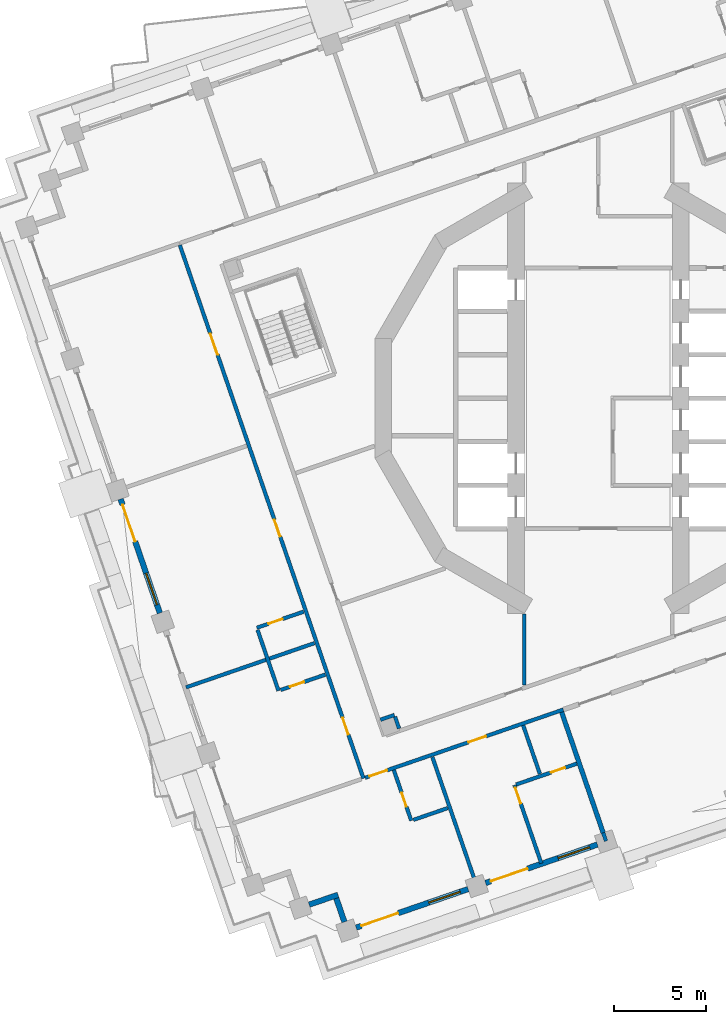
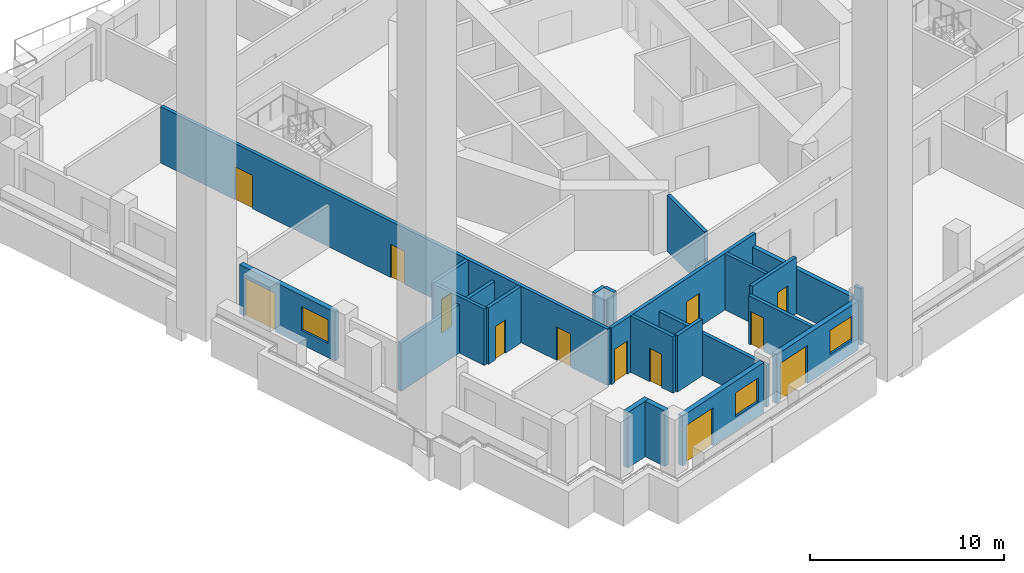
# One storey, part 3 of 18: 22 walls, 13 doors, 3 windows, 16 openings.
"""IFC4 building model written with IfcOpenShell, lengths in metres."""

from ifc_helpers import new_model, si_unit, direction, frame, frame_2d, origin, place, context, subcontext, project, spatial, rectangle, extrude, material, layer, layer_set, type_object, element, fill, save


model = new_model("IFC4")

# Units and contexts
model_context = context("Model", 3, precision=1e-05, world=origin(), true_north=direction((0.0, 1.0)))
body_context = subcontext(model_context, "Body", "Model", "MODEL_VIEW")
ifc_project = project(units=[si_unit("LENGTHUNIT", "METRE"), si_unit("AREAUNIT", "SQUARE_METRE"), si_unit("VOLUMEUNIT", "CUBIC_METRE"), si_unit("PLANEANGLEUNIT", "RADIAN"), si_unit("MASSUNIT", "GRAM", prefix="KILO")], contexts=[model_context])

# Site, building, storey
site_placement = place(None, origin())
site = spatial("IfcSite", under=ifc_project, at=site_placement, CompositionType="ELEMENT")
building_placement = place(site_placement, origin())
building = spatial("IfcBuilding", under=site, at=building_placement, Name="Cantera Rosa Tower", CompositionType="ELEMENT")
storey_placement = place(building_placement, frame((0.0, 0.0, 100.300048828125)))
storey = spatial("IfcBuildingStorey", under=building, at=storey_placement, Name="L19", CompositionType="ELEMENT", Elevation=100.300048828125)

# Wall, openings, doors
ifc_material_1 = material(Name="Gypsum board partition")
ifc_layer_1 = layer(ifc_material_1, 0.199951171875)
ifc_layer_set_1 = layer_set([ifc_layer_1], Name="CORRIDOR WALL 200 H3550")
wall_type_1 = type_object("IfcWallType", Name="CORRIDOR WALL 200 H3550", PredefinedType="PARTITIONING", material=ifc_layer_set_1)
wall_1_placement = place(storey_placement, frame((-22.6298828125, 8.28369140625, 0.0), z_axis=(0.0, 0.0, 1.0), x_axis=(0.325570542196, -0.945517753431, 0.0)))
wall_1 = element("IfcWall", 1, at=wall_1_placement, inside=storey, type_object=wall_type_1, Name="CORRIDOR WALL L19-002", PredefinedType="PARTITIONING", context=body_context, shape_type="SweptSolid", body=[
    extrude(rectangle(XDim=30.5, YDim=0.199951171875, at=frame_2d((15.25, 0.0))), origin(), (0.0, 0.0, 1.0), 3.550048828125),
])
opening_1_placement = place(wall_1_placement, frame((5.070068359375, 0.0, 0.0)))
opening_1 = element("IfcOpeningElement", 2, at=opening_1_placement, cuts=wall_1, Name="Opening L19-036", PredefinedType="OPENING", context=body_context, shape_type="SweptSolid", body=[
    extrude(rectangle(XDim=1.199951171875, YDim=2.10009765625, at=frame_2d((0.60009765625, 1.050048828125))), frame((0.0, 0.10986328125, 0.0), z_axis=(0.0, -1.0, 0.0), x_axis=(1.0, 0.0, 0.0)), (0.0, 0.0, 1.0), 0.219970703125),
])
opening_2_placement = place(wall_1_placement, frame((15.705078125, 0.0, 0.0)))
opening_2 = element("IfcOpeningElement", 3, at=opening_2_placement, cuts=wall_1, Name="Opening L19-037", PredefinedType="OPENING", context=body_context, shape_type="SweptSolid", body=[
    extrude(rectangle(XDim=0.949951171875, YDim=2.10009765625, at=frame_2d((0.47509765625, 1.050048828125))), frame((0.0, 0.10986328125, 0.0), z_axis=(0.0, -1.0, 0.0), x_axis=(1.0, 0.0, 0.0)), (0.0, 0.0, 1.0), 0.219970703125),
])
opening_3_placement = place(wall_1_placement, frame((27.034912109375, 0.0, 0.0)))
opening_3 = element("IfcOpeningElement", 4, at=opening_3_placement, cuts=wall_1, Name="Opening L19-039", PredefinedType="OPENING", context=body_context, shape_type="SweptSolid", body=[
    extrude(rectangle(XDim=0.949951171875, YDim=2.10009765625, at=frame_2d((0.47509765625, 1.050048828125))), frame((0.0, 0.10986328125, 0.0), z_axis=(0.0, -1.0, 0.0), x_axis=(1.0, 0.0, 0.0)), (0.0, 0.0, 1.0), 0.219970703125),
])
ifc_material_2 = material(Name="Timber door leaf", Category="wood")
door_type_1 = type_object("IfcDoorType", Name="ROOM DOOR 1200x2100", OperationType="NOTDEFINED", PredefinedType="DOOR", material=ifc_material_2)
door_1_placement = place(opening_1_placement, origin())
door_1 = element("IfcDoor", 5, at=door_1_placement, inside=storey, type_object=door_type_1, Name="DOOR L19-036", OperationType="NOTDEFINED", OverallHeight=2.10009765625, OverallWidth=1.199951171875, PredefinedType="DOOR", context=body_context, shape_type="SweptSolid", body=[
    extrude(rectangle(XDim=1.199951171875, YDim=2.10009765625, at=frame_2d((0.60009765625, 1.050048828125))), frame((0.0, 0.02490234375, 0.0), z_axis=(0.0, -1.0, 0.0), x_axis=(1.0, 0.0, 0.0)), (0.0, 0.0, 1.0), 0.050048828125),
])
fill(opening_1, door_1)
ifc_material_3 = material(Name="Timber door leaf", Category="wood")
door_type_2 = type_object("IfcDoorType", Name="ROOM DOOR 950x2100", OperationType="NOTDEFINED", PredefinedType="DOOR", material=ifc_material_3)
door_2_placement = place(opening_2_placement, origin())
door_2 = element("IfcDoor", 6, at=door_2_placement, inside=storey, type_object=door_type_2, Name="DOOR L19-037", OperationType="NOTDEFINED", OverallHeight=2.10009765625, OverallWidth=0.949951171875, PredefinedType="DOOR", context=body_context, shape_type="SweptSolid", body=[
    extrude(rectangle(XDim=0.949951171875, YDim=2.10009765625, at=frame_2d((0.47509765625, 1.050048828125))), frame((0.0, 0.02490234375, 0.0), z_axis=(0.0, -1.0, 0.0), x_axis=(1.0, 0.0, 0.0)), (0.0, 0.0, 1.0), 0.050048828125),
])
fill(opening_2, door_2)
door_3_placement = place(opening_3_placement, origin())
door_3 = element("IfcDoor", 7, at=door_3_placement, inside=storey, type_object=door_type_2, Name="DOOR L19-039", OperationType="NOTDEFINED", OverallHeight=2.10009765625, OverallWidth=0.949951171875, PredefinedType="DOOR", context=body_context, shape_type="SweptSolid", body=[
    extrude(rectangle(XDim=0.949951171875, YDim=2.10009765625, at=frame_2d((0.47509765625, 1.050048828125))), frame((0.0, 0.02490234375, 0.0), z_axis=(0.0, -1.0, 0.0), x_axis=(1.0, 0.0, 0.0)), (0.0, 0.0, 1.0), 0.050048828125),
])
fill(opening_3, door_3)

wall_2_placement = place(storey_placement, frame((-12.60546875, -20.52197265625, 0.0), z_axis=(0.0, 0.0, 1.0), x_axis=(0.945519963328, 0.325564124172, 0.0)))
wall_2 = element("IfcWall", 8, at=wall_2_placement, inside=storey, type_object=wall_type_1, Name="CORRIDOR WALL L19-020", PredefinedType="PARTITIONING", context=body_context, shape_type="SweptSolid", body=[
    extrude(rectangle(XDim=11.324951171875, YDim=0.199951171875, at=frame_2d((5.66259765625, 0.0))), origin(), (0.0, 0.0, 1.0), 3.550048828125),
])
opening_4_placement = place(wall_2_placement, frame((5.89990234375, 0.0, 0.0)))
opening_4 = element("IfcOpeningElement", 9, at=opening_4_placement, cuts=wall_2, Name="Opening L19-041", PredefinedType="OPENING", context=body_context, shape_type="SweptSolid", body=[
    extrude(rectangle(XDim=1.0, YDim=2.10009765625, at=frame_2d((0.5, 1.050048828125))), frame((0.0, 0.10986328125, 0.0), z_axis=(0.0, -1.0, 0.0), x_axis=(1.0, 0.0, 0.0)), (0.0, 0.0, 1.0), 0.219970703125),
])
opening_5_placement = place(wall_2_placement, frame((0.25, 0.0, 0.0)))
opening_5 = element("IfcOpeningElement", 10, at=opening_5_placement, cuts=wall_2, Name="Opening L19-046", PredefinedType="OPENING", context=body_context, shape_type="SweptSolid", body=[
    extrude(rectangle(XDim=1.0, YDim=2.10009765625, at=frame_2d((0.5, 1.050048828125))), frame((0.0, 0.10986328125, 0.0), z_axis=(0.0, -1.0, 0.0), x_axis=(1.0, 0.0, 0.0)), (0.0, 0.0, 1.0), 0.219970703125),
])
ifc_material_4 = material(Name="Timber door leaf", Category="wood")
door_type_3 = type_object("IfcDoorType", Name="ENTRANCE DOOR 1000x2100", OperationType="NOTDEFINED", PredefinedType="DOOR", material=ifc_material_4)
door_4_placement = place(opening_4_placement, origin())
door_4 = element("IfcDoor", 11, at=door_4_placement, inside=storey, type_object=door_type_3, Name="DOOR L19-041", OperationType="NOTDEFINED", OverallHeight=2.10009765625, OverallWidth=1.0, PredefinedType="DOOR", context=body_context, shape_type="SweptSolid", body=[
    extrude(rectangle(XDim=1.0, YDim=2.10009765625, at=frame_2d((0.5, 1.050048828125))), frame((0.0, 0.02490234375, 0.0), z_axis=(0.0, -1.0, 0.0), x_axis=(1.0, 0.0, 0.0)), (0.0, 0.0, 1.0), 0.050048828125),
])
fill(opening_4, door_4)
door_5_placement = place(opening_5_placement, origin())
door_5 = element("IfcDoor", 12, at=door_5_placement, inside=storey, type_object=door_type_3, Name="DOOR L19-046", OperationType="NOTDEFINED", OverallHeight=2.10009765625, OverallWidth=1.0, PredefinedType="DOOR", context=body_context, shape_type="SweptSolid", body=[
    extrude(rectangle(XDim=1.0, YDim=2.10009765625, at=frame_2d((0.5, 1.050048828125))), frame((0.0, 0.02490234375, 0.0), z_axis=(0.0, -1.0, 0.0), x_axis=(1.0, 0.0, 0.0)), (0.0, 0.0, 1.0), 0.050048828125),
])
fill(opening_5, door_5)

# Walls
wall_3_placement = place(storey_placement, frame((-4.0, -11.667236328125, 0.0), z_axis=(0.0, 0.0, 1.0), x_axis=(0.0, -1.0, 0.0)))
element("IfcWall", 13, at=wall_3_placement, inside=storey, type_object=wall_type_1, Name="CORRIDOR WALL L19-047", PredefinedType="PARTITIONING", context=body_context, shape_type="SweptSolid", body=[
    extrude(rectangle(XDim=3.847900390625, YDim=0.199951171875, at=frame_2d((1.923828125, 0.0))), origin(), (0.0, 0.0, 1.0), 3.550048828125),
])
ifc_material_5 = material(Name="Hollow clay masonry with cantera stone cladding", Category="masonry")
ifc_layer_2 = layer(ifc_material_5, 0.300048828125)
ifc_layer_set_2 = layer_set([ifc_layer_2], Name="EW-LOGGIA 300")
wall_type_2 = type_object("IfcWallType", Name="EW-LOGGIA 300", PredefinedType="SOLIDWALL", material=ifc_layer_set_2)
wall_4_placement = place(storey_placement, frame((-15.636962890625, -27.3828125, 0.0), z_axis=(0.0, 0.0, 1.0), x_axis=(0.945484566827, 0.325666906351, 0.0)))
element("IfcWall", 14, at=wall_4_placement, inside=storey, type_object=wall_type_2, Name="EN-L19-W22a", PredefinedType="SOLIDWALL", context=body_context, shape_type="SweptSolid", body=[
    extrude(rectangle(XDim=1.64990234375, YDim=0.300048828125, at=frame_2d((0.824951171875, 0.0))), origin(), (0.0, 0.0, 1.0), 3.5),
])
wall_5_placement = place(storey_placement, frame((-14.169921875, -27.0361328125, 0.0), z_axis=(0.0, 0.0, 1.0), x_axis=(0.325650742363, -0.945490134268, 0.0)))
element("IfcWall", 15, at=wall_5_placement, inside=storey, type_object=wall_type_2, Name="EN-L19-W22b", PredefinedType="SOLIDWALL", context=body_context, shape_type="SweptSolid", body=[
    extrude(rectangle(XDim=1.35009765625, YDim=0.300048828125, at=frame_2d((0.675048828125, 0.0))), origin(), (0.0, 0.0, 1.0), 3.5),
])

# Wall, openings, window, door
ifc_material_6 = material(Name="Hollow clay masonry with cantera stone cladding", Category="masonry")
ifc_layer_3 = layer(ifc_material_6, 0.300048828125)
ifc_layer_set_3 = layer_set([ifc_layer_3], Name="EW-LOGGIA 300 H3090")
wall_type_3 = type_object("IfcWallType", Name="EW-LOGGIA 300 H3090", PredefinedType="SOLIDWALL", material=ifc_layer_set_3)
wall_6_placement = place(storey_placement, frame((-25.833984375, -5.447509765625, 0.0), z_axis=(0.0, 0.0, 1.0), x_axis=(0.325580990241, -0.945514155787, 0.0)))
wall_6 = element("IfcWall", 16, at=wall_6_placement, inside=storey, type_object=wall_type_3, Name="EN-L19-W18", PredefinedType="SOLIDWALL", context=body_context, shape_type="SweptSolid", body=[
    extrude(rectangle(XDim=6.52001953125, YDim=0.300048828125, at=frame_2d((3.260009765625, 0.0))), origin(), (0.0, 0.0, 1.0), 3.08984375),
])
opening_6_placement = place(wall_6_placement, frame((0.330078125, 0.0, 0.0)))
opening_6 = element("IfcOpeningElement", 17, at=opening_6_placement, cuts=wall_6, Name="Opening L19-TD27", PredefinedType="OPENING", context=body_context, shape_type="SweptSolid", body=[
    extrude(rectangle(XDim=2.10009765625, YDim=2.39990234375, at=frame_2d((1.050048828125, 1.199951171875))), frame((0.0, 0.159912109375, 0.0), z_axis=(0.0, -1.0, 0.0), x_axis=(1.0, 0.0, 0.0)), (0.0, 0.0, 1.0), 0.320068359375),
])
opening_7_placement = place(wall_6_placement, frame((4.239990234375, 0.0, 0.89990234375)))
opening_7 = element("IfcOpeningElement", 18, at=opening_7_placement, cuts=wall_6, Name="Opening L19-W28", PredefinedType="OPENING", context=body_context, shape_type="SweptSolid", body=[
    extrude(rectangle(XDim=1.800048828125, YDim=1.5, at=frame_2d((0.89990234375, 0.75))), frame((0.0, 0.159912109375, 0.0), z_axis=(0.0, -1.0, 0.0), x_axis=(1.0, 0.0, 0.0)), (0.0, 0.0, 1.0), 0.320068359375),
])
ifc_material_7 = material(Name="Aluminium frame with clear glass", Category="aluminium")
window_type = type_object("IfcWindowType", Name="Hotel room window 1800x1500", PartitioningType="DOUBLE_PANEL_VERTICAL", PredefinedType="WINDOW", material=ifc_material_7)
window_1_placement = place(opening_7_placement, origin())
window_1 = element("IfcWindow", 19, at=window_1_placement, inside=storey, type_object=window_type, Name="WINDOW L19-W28", OverallHeight=1.5, OverallWidth=1.800048828125, PartitioningType="SINGLE_PANEL", PredefinedType="WINDOW", context=body_context, shape_type="SweptSolid", body=[
    extrude(rectangle(XDim=1.800048828125, YDim=1.5, at=frame_2d((0.89990234375, 0.75))), frame((0.0, 0.030029296875, 0.0), z_axis=(0.0, -1.0, 0.0), x_axis=(1.0, 0.0, 0.0)), (0.0, 0.0, 1.0), 0.06005859375),
])
fill(opening_7, window_1)
ifc_material_8 = material(Name="Aluminium frame with clear glass", Category="aluminium")
door_type_4 = type_object("IfcDoorType", Name="TD-H 2100x2400", OperationType="NOTDEFINED", PredefinedType="DOOR", material=ifc_material_8)
door_6_placement = place(opening_6_placement, origin())
door_6 = element("IfcDoor", 20, at=door_6_placement, inside=storey, type_object=door_type_4, Name="LOGGIA DOOR L19-TD27", OperationType="SLIDING_TO_LEFT", OverallHeight=2.39990234375, OverallWidth=2.10009765625, PredefinedType="DOOR", context=body_context, shape_type="SweptSolid", body=[
    extrude(rectangle(XDim=2.10009765625, YDim=2.39990234375, at=frame_2d((1.050048828125, 1.199951171875))), frame((0.0, 0.02490234375, 0.0), z_axis=(0.0, -1.0, 0.0), x_axis=(1.0, 0.0, 0.0)), (0.0, 0.0, 1.0), 0.050048828125),
])
fill(opening_6, door_6)

wall_7_placement = place(storey_placement, frame((-6.097900390625, -26.21337890625, 0.0), z_axis=(0.0, 0.0, 1.0), x_axis=(0.945524496524, 0.325550958337, 0.0)))
wall_7 = element("IfcWall", 21, at=wall_7_placement, inside=storey, type_object=wall_type_3, Name="EN-L19-W24", PredefinedType="SOLIDWALL", context=body_context, shape_type="SweptSolid", body=[
    extrude(rectangle(XDim=6.39990234375, YDim=0.300048828125, at=frame_2d((3.199951171875, 0.0))), origin(), (0.0, 0.0, 1.0), 3.08984375),
])
opening_8_placement = place(wall_7_placement, frame((0.300048828125, 0.0, 0.0)))
opening_8 = element("IfcOpeningElement", 22, at=opening_8_placement, cuts=wall_7, Name="Opening L19-TD35", PredefinedType="OPENING", context=body_context, shape_type="SweptSolid", body=[
    extrude(rectangle(XDim=2.10009765625, YDim=2.39990234375, at=frame_2d((1.050048828125, 1.199951171875))), frame((0.0, 0.159912109375, 0.0), z_axis=(0.0, -1.0, 0.0), x_axis=(1.0, 0.0, 0.0)), (0.0, 0.0, 1.0), 0.320068359375),
])
opening_9_placement = place(wall_7_placement, frame((4.14990234375, 0.0, 0.89990234375)))
opening_9 = element("IfcOpeningElement", 23, at=opening_9_placement, cuts=wall_7, Name="Opening L19-W36", PredefinedType="OPENING", context=body_context, shape_type="SweptSolid", body=[
    extrude(rectangle(XDim=1.800048828125, YDim=1.5, at=frame_2d((0.89990234375, 0.75))), frame((0.0, 0.159912109375, 0.0), z_axis=(0.0, -1.0, 0.0), x_axis=(1.0, 0.0, 0.0)), (0.0, 0.0, 1.0), 0.320068359375),
])
window_2_placement = place(opening_9_placement, origin())
window_2 = element("IfcWindow", 24, at=window_2_placement, inside=storey, type_object=window_type, Name="WINDOW L19-W36", OverallHeight=1.5, OverallWidth=1.800048828125, PartitioningType="SINGLE_PANEL", PredefinedType="WINDOW", context=body_context, shape_type="SweptSolid", body=[
    extrude(rectangle(XDim=1.800048828125, YDim=1.5, at=frame_2d((0.89990234375, 0.75))), frame((0.0, 0.030029296875, 0.0), z_axis=(0.0, -1.0, 0.0), x_axis=(1.0, 0.0, 0.0)), (0.0, 0.0, 1.0), 0.06005859375),
])
fill(opening_9, window_2)
door_7_placement = place(opening_8_placement, origin())
door_7 = element("IfcDoor", 25, at=door_7_placement, inside=storey, type_object=door_type_4, Name="LOGGIA DOOR L19-TD35", OperationType="SLIDING_TO_LEFT", OverallHeight=2.39990234375, OverallWidth=2.10009765625, PredefinedType="DOOR", context=body_context, shape_type="SweptSolid", body=[
    extrude(rectangle(XDim=2.10009765625, YDim=2.39990234375, at=frame_2d((1.050048828125, 1.199951171875))), frame((0.0, 0.02490234375, 0.0), z_axis=(0.0, -1.0, 0.0), x_axis=(1.0, 0.0, 0.0)), (0.0, 0.0, 1.0), 0.050048828125),
])
fill(opening_8, door_7)

ifc_material_9 = material(Name="Hollow clay masonry with cantera stone cladding", Category="masonry")
ifc_layer_4 = layer(ifc_material_9, 0.300048828125)
ifc_layer_set_4 = layer_set([ifc_layer_4], Name="EW-LOGGIA 300 H3140")
wall_type_4 = type_object("IfcWallType", Name="EW-LOGGIA 300 H3140", PredefinedType="SOLIDWALL", material=ifc_layer_set_4)
wall_8_placement = place(storey_placement, frame((-13.0947265625, -28.62255859375, 0.0), z_axis=(0.0, 0.0, 1.0), x_axis=(0.945524496524, 0.325550958337, 0.0)))
wall_8 = element("IfcWall", 26, at=wall_8_placement, inside=storey, type_object=wall_type_4, Name="EN-L19-W23", PredefinedType="SOLIDWALL", context=body_context, shape_type="SweptSolid", body=[
    extrude(rectangle(XDim=6.39990234375, YDim=0.300048828125, at=frame_2d((3.199951171875, 0.0))), origin(), (0.0, 0.0, 1.0), 3.139892578125),
])
opening_10_placement = place(wall_8_placement, frame((0.300048828125, 0.0, 0.0)))
opening_10 = element("IfcOpeningElement", 27, at=opening_10_placement, cuts=wall_8, Name="Opening L19-TD33", PredefinedType="OPENING", context=body_context, shape_type="SweptSolid", body=[
    extrude(rectangle(XDim=2.10009765625, YDim=2.39990234375, at=frame_2d((1.050048828125, 1.199951171875))), frame((0.0, 0.159912109375, 0.0), z_axis=(0.0, -1.0, 0.0), x_axis=(1.0, 0.0, 0.0)), (0.0, 0.0, 1.0), 0.320068359375),
])
opening_11_placement = place(wall_8_placement, frame((4.14990234375, 0.0, 0.89990234375)))
opening_11 = element("IfcOpeningElement", 28, at=opening_11_placement, cuts=wall_8, Name="Opening L19-W34", PredefinedType="OPENING", context=body_context, shape_type="SweptSolid", body=[
    extrude(rectangle(XDim=1.800048828125, YDim=1.5, at=frame_2d((0.89990234375, 0.75))), frame((0.0, 0.159912109375, 0.0), z_axis=(0.0, -1.0, 0.0), x_axis=(1.0, 0.0, 0.0)), (0.0, 0.0, 1.0), 0.320068359375),
])
window_3_placement = place(opening_11_placement, origin())
window_3 = element("IfcWindow", 29, at=window_3_placement, inside=storey, type_object=window_type, Name="WINDOW L19-W34", OverallHeight=1.5, OverallWidth=1.800048828125, PartitioningType="SINGLE_PANEL", PredefinedType="WINDOW", context=body_context, shape_type="SweptSolid", body=[
    extrude(rectangle(XDim=1.800048828125, YDim=1.5, at=frame_2d((0.89990234375, 0.75))), frame((0.0, 0.030029296875, 0.0), z_axis=(0.0, -1.0, 0.0), x_axis=(1.0, 0.0, 0.0)), (0.0, 0.0, 1.0), 0.06005859375),
])
fill(opening_11, window_3)
door_8_placement = place(opening_10_placement, origin())
door_8 = element("IfcDoor", 30, at=door_8_placement, inside=storey, type_object=door_type_4, Name="LOGGIA DOOR L19-TD33", OperationType="SLIDING_TO_LEFT", OverallHeight=2.39990234375, OverallWidth=2.10009765625, PredefinedType="DOOR", context=body_context, shape_type="SweptSolid", body=[
    extrude(rectangle(XDim=2.10009765625, YDim=2.39990234375, at=frame_2d((1.050048828125, 1.199951171875))), frame((0.0, 0.02490234375, 0.0), z_axis=(0.0, -1.0, 0.0), x_axis=(1.0, 0.0, 0.0)), (0.0, 0.0, 1.0), 0.050048828125),
])
fill(opening_10, door_8)

# Wall
ifc_material_10 = material(Name="Concrete C40/50", Category="concrete")
ifc_layer_5 = layer(ifc_material_10, 0.25)
ifc_layer_set_5 = layer_set([ifc_layer_5], Name="EW-POCKET CHEEK 250 H2795")
wall_type_5 = type_object("IfcWallType", Name="EW-POCKET CHEEK 250 H2795", PredefinedType="SOLIDWALL", material=ifc_layer_set_5)
wall_9_placement = place(storey_placement, frame((0.263427734375, -23.494384765625, 0.0), z_axis=(0.0, 0.0, 1.0), x_axis=(-0.325585020105, 0.945512768123, 0.0)))
element("IfcWall", 31, at=wall_9_placement, inside=storey, type_object=wall_type_5, Name="POCKET CHEEK A L19", PredefinedType="SOLIDWALL", context=body_context, shape_type="SweptSolid", body=[
    extrude(rectangle(XDim=6.900146484375, YDim=0.25, at=frame_2d((3.4501953125, 0.0))), origin(), (0.0, 0.0, 1.0), 2.794921875),
])

# Wall, opening, door
ifc_material_11 = material(Name="Gypsum board partition")
ifc_layer_6 = layer(ifc_material_11, 0.199951171875)
ifc_layer_set_6 = layer_set([ifc_layer_6], Name="PARTITION 200 H3050")
wall_type_6 = type_object("IfcWallType", Name="PARTITION 200 H3050", PredefinedType="PARTITIONING", material=ifc_layer_set_6)
wall_10_placement = place(storey_placement, frame((-3.08203125, -25.143310546875, 0.0), z_axis=(0.0, 0.0, 1.0), x_axis=(-0.325568171973, 0.945518569568, 0.0)))
wall_10 = element("IfcWall", 32, at=wall_10_placement, inside=storey, type_object=wall_type_6, Name="PARTITION L19-051", PredefinedType="PARTITIONING", context=body_context, shape_type="SweptSolid", body=[
    extrude(rectangle(XDim=4.47021484375, YDim=0.199951171875, at=frame_2d((2.235107421875, 0.0))), origin(), (0.0, 0.0, 1.0), 3.050048828125),
])
opening_12_placement = place(wall_10_placement, frame((3.419921875, 0.0, 0.0)))
opening_12 = element("IfcOpeningElement", 33, at=opening_12_placement, cuts=wall_10, Name="Opening L19-042", PredefinedType="OPENING", context=body_context, shape_type="SweptSolid", body=[
    extrude(rectangle(XDim=0.89990234375, YDim=2.10009765625, at=frame_2d((0.449951171875, 1.050048828125))), frame((0.0, 0.10986328125, 0.0), z_axis=(0.0, -1.0, 0.0), x_axis=(1.0, 0.0, 0.0)), (0.0, 0.0, 1.0), 0.219970703125),
])
ifc_material_12 = material(Name="Timber door leaf", Category="wood")
door_type_5 = type_object("IfcDoorType", Name="ROOM DOOR 900x2100", OperationType="NOTDEFINED", PredefinedType="DOOR", material=ifc_material_12)
door_9_placement = place(opening_12_placement, origin())
door_9 = element("IfcDoor", 34, at=door_9_placement, inside=storey, type_object=door_type_5, Name="DOOR L19-042", OperationType="NOTDEFINED", OverallHeight=2.10009765625, OverallWidth=0.89990234375, PredefinedType="DOOR", context=body_context, shape_type="SweptSolid", body=[
    extrude(rectangle(XDim=0.89990234375, YDim=2.10009765625, at=frame_2d((0.449951171875, 1.050048828125))), frame((0.0, 0.02490234375, 0.0), z_axis=(0.0, -1.0, 0.0), x_axis=(1.0, 0.0, 0.0)), (0.0, 0.0, 1.0), 0.050048828125),
])
fill(opening_12, door_9)

ifc_material_13 = material(Name="Gypsum board partition")
ifc_layer_7 = layer(ifc_material_13, 0.199951171875)
ifc_layer_set_7 = layer_set([ifc_layer_7], Name="PARTITION 200 H3550")
wall_type_7 = type_object("IfcWallType", Name="PARTITION 200 H3550", PredefinedType="PARTITIONING", material=ifc_layer_set_7)
wall_11_placement = place(storey_placement, frame((-18.46630859375, -12.408203125, 0.0), z_axis=(0.0, 0.0, 1.0), x_axis=(0.94551230217, 0.325586373249, 0.0)))
wall_11 = element("IfcWall", 35, at=wall_11_placement, inside=storey, type_object=wall_type_7, Name="PARTITION L19-011", PredefinedType="PARTITIONING", context=body_context, shape_type="SweptSolid", body=[
    extrude(rectangle(XDim=2.679931640625, YDim=0.199951171875, at=frame_2d((1.33984375, 0.0))), origin(), (0.0, 0.0, 1.0), 3.550048828125),
])
opening_13_placement = place(wall_11_placement, frame((0.6640625, 0.0, 0.0)))
opening_13 = element("IfcOpeningElement", 36, at=opening_13_placement, cuts=wall_11, Name="Opening L19-038", PredefinedType="OPENING", context=body_context, shape_type="SweptSolid", body=[
    extrude(rectangle(XDim=0.800048828125, YDim=2.10009765625, at=frame_2d((0.39990234375, 1.050048828125))), frame((0.0, 0.10986328125, 0.0), z_axis=(0.0, -1.0, 0.0), x_axis=(1.0, 0.0, 0.0)), (0.0, 0.0, 1.0), 0.219970703125),
])
ifc_material_14 = material(Name="Timber door leaf", Category="wood")
door_type_6 = type_object("IfcDoorType", Name="BATHROOM DOOR 800x2100", OperationType="NOTDEFINED", PredefinedType="DOOR", material=ifc_material_14)
door_10_placement = place(opening_13_placement, origin())
door_10 = element("IfcDoor", 37, at=door_10_placement, inside=storey, type_object=door_type_6, Name="DOOR L19-038", OperationType="NOTDEFINED", OverallHeight=2.10009765625, OverallWidth=0.800048828125, PredefinedType="DOOR", context=body_context, shape_type="SweptSolid", body=[
    extrude(rectangle(XDim=0.800048828125, YDim=2.10009765625, at=frame_2d((0.39990234375, 1.050048828125))), frame((0.0, 0.02490234375, 0.0), z_axis=(0.0, -1.0, 0.0), x_axis=(1.0, 0.0, 0.0)), (0.0, 0.0, 1.0), 0.050048828125),
])
fill(opening_13, door_10)

# Wall
wall_12_placement = place(storey_placement, frame((-17.29443359375, -15.81201171875, 0.0), z_axis=(0.0, 0.0, 1.0), x_axis=(-0.325514995811, 0.945536877918, 0.0)))
element("IfcWall", 38, at=wall_12_placement, inside=storey, type_object=wall_type_7, Name="PARTITION L19-015", PredefinedType="PARTITIONING", context=body_context, shape_type="SweptSolid", body=[
    extrude(rectangle(XDim=3.47998046875, YDim=0.199951171875, at=frame_2d((1.739990234375, 0.0))), origin(), (0.0, 0.0, 1.0), 3.550048828125),
])

# Wall, opening, door
wall_13_placement = place(storey_placement, frame((-14.760498046875, -14.939453125, 0.0), z_axis=(0.0, 0.0, 1.0), x_axis=(-0.9455087096, -0.325596805989, 0.0)))
wall_13 = element("IfcWall", 39, at=wall_13_placement, inside=storey, type_object=wall_type_7, Name="PARTITION L19-018", PredefinedType="PARTITIONING", context=body_context, shape_type="SweptSolid", body=[
    extrude(rectangle(XDim=2.559814453125, YDim=0.199951171875, at=frame_2d((1.27978515625, 0.0))), origin(), (0.0, 0.0, 1.0), 3.550048828125),
])
opening_14_placement = place(wall_13_placement, frame((1.216064453125, 0.0, 0.0)))
opening_14 = element("IfcOpeningElement", 40, at=opening_14_placement, cuts=wall_13, Name="Opening L19-040", PredefinedType="OPENING", context=body_context, shape_type="SweptSolid", body=[
    extrude(rectangle(XDim=0.800048828125, YDim=2.10009765625, at=frame_2d((0.39990234375, 1.050048828125))), frame((0.0, 0.10986328125, 0.0), z_axis=(0.0, -1.0, 0.0), x_axis=(1.0, 0.0, 0.0)), (0.0, 0.0, 1.0), 0.219970703125),
])
door_11_placement = place(opening_14_placement, origin())
door_11 = element("IfcDoor", 41, at=door_11_placement, inside=storey, type_object=door_type_6, Name="DOOR L19-040", OperationType="NOTDEFINED", OverallHeight=2.10009765625, OverallWidth=0.800048828125, PredefinedType="DOOR", context=body_context, shape_type="SweptSolid", body=[
    extrude(rectangle(XDim=0.800048828125, YDim=2.10009765625, at=frame_2d((0.39990234375, 1.050048828125))), frame((0.0, 0.02490234375, 0.0), z_axis=(0.0, -1.0, 0.0), x_axis=(1.0, 0.0, 0.0)), (0.0, 0.0, 1.0), 0.050048828125),
])
fill(opening_14, door_11)

# Walls
wall_14_placement = place(storey_placement, frame((-11.026123046875, -17.12255859375, 0.0), z_axis=(0.0, 0.0, 1.0), x_axis=(-0.945525269499, -0.325548713312, 0.0)))
element("IfcWall", 42, at=wall_14_placement, inside=storey, type_object=wall_type_7, Name="PARTITION L19-026", PredefinedType="PARTITIONING", context=body_context, shape_type="SweptSolid", body=[
    extrude(rectangle(XDim=0.80029296875, YDim=0.199951171875, at=frame_2d((0.400146484375, 0.0))), origin(), (0.0, 0.0, 1.0), 3.550048828125),
])
wall_15_placement = place(storey_placement, frame((-10.772216796875, -17.860107421875, 0.0), z_axis=(0.0, 0.0, 1.0), x_axis=(-0.325691873105, 0.945475966798, 0.0)))
element("IfcWall", 43, at=wall_15_placement, inside=storey, type_object=wall_type_7, Name="PARTITION L19-027", PredefinedType="PARTITIONING", context=body_context, shape_type="SweptSolid", body=[
    extrude(rectangle(XDim=0.679931640625, YDim=0.199951171875, at=frame_2d((0.33984375, 0.0))), origin(), (0.0, 0.0, 1.0), 3.550048828125),
])

# Wall, opening, door
wall_16_placement = place(storey_placement, frame((-10.115966796875, -22.837646484375, 0.0), z_axis=(0.0, 0.0, 1.0), x_axis=(-0.325557359554, 0.945522292514, 0.0)))
wall_16 = element("IfcWall", 44, at=wall_16_placement, inside=storey, type_object=wall_type_7, Name="PARTITION L19-028", PredefinedType="PARTITIONING", context=body_context, shape_type="SweptSolid", body=[
    extrude(rectangle(XDim=2.89990234375, YDim=0.199951171875, at=frame_2d((1.449951171875, 0.0))), origin(), (0.0, 0.0, 1.0), 3.550048828125),
])
opening_15_placement = place(wall_16_placement, frame((0.800048828125, 0.0, 0.0)))
opening_15 = element("IfcOpeningElement", 45, at=opening_15_placement, cuts=wall_16, Name="Opening L19-047", PredefinedType="OPENING", context=body_context, shape_type="SweptSolid", body=[
    extrude(rectangle(XDim=0.800048828125, YDim=2.10009765625, at=frame_2d((0.39990234375, 1.050048828125))), frame((0.0, 0.10986328125, 0.0), z_axis=(0.0, -1.0, 0.0), x_axis=(1.0, 0.0, 0.0)), (0.0, 0.0, 1.0), 0.219970703125),
])
door_12_placement = place(opening_15_placement, origin())
door_12 = element("IfcDoor", 46, at=door_12_placement, inside=storey, type_object=door_type_6, Name="DOOR L19-047", OperationType="NOTDEFINED", OverallHeight=2.10009765625, OverallWidth=0.800048828125, PredefinedType="DOOR", context=body_context, shape_type="SweptSolid", body=[
    extrude(rectangle(XDim=0.800048828125, YDim=2.10009765625, at=frame_2d((0.39990234375, 1.050048828125))), frame((0.0, 0.02490234375, 0.0), z_axis=(0.0, -1.0, 0.0), x_axis=(1.0, 0.0, 0.0)), (0.0, 0.0, 1.0), 0.050048828125),
])
fill(opening_15, door_12)

# Wall
wall_17_placement = place(storey_placement, frame((-8.149169921875, -22.160400390625, 0.0), z_axis=(0.0, 0.0, 1.0), x_axis=(-0.945510558394, -0.325591437181, 0.0)))
element("IfcWall", 47, at=wall_17_placement, inside=storey, type_object=wall_type_7, Name="PARTITION L19-031", PredefinedType="PARTITIONING", context=body_context, shape_type="SweptSolid", body=[
    extrude(rectangle(XDim=1.9599609375, YDim=0.199951171875, at=frame_2d((0.97998046875, 0.0))), origin(), (0.0, 0.0, 1.0), 3.550048828125),
])

# Wall, opening, door
wall_18_placement = place(storey_placement, frame((-4.44287109375, -20.88427734375, 0.0), z_axis=(0.0, 0.0, 1.0), x_axis=(0.945515898571, 0.325575929009, 0.0)))
wall_18 = element("IfcWall", 48, at=wall_18_placement, inside=storey, type_object=wall_type_7, Name="PARTITION L19-045", PredefinedType="PARTITIONING", context=body_context, shape_type="SweptSolid", body=[
    extrude(rectangle(XDim=3.465087890625, YDim=0.199951171875, at=frame_2d((1.732421875, 0.0))), origin(), (0.0, 0.0, 1.0), 3.550048828125),
])
opening_16_placement = place(wall_18_placement, frame((1.989990234375, 0.0, 0.0)))
opening_16 = element("IfcOpeningElement", 49, at=opening_16_placement, cuts=wall_18, Name="Opening L19-043", PredefinedType="OPENING", context=body_context, shape_type="SweptSolid", body=[
    extrude(rectangle(XDim=0.800048828125, YDim=2.10009765625, at=frame_2d((0.39990234375, 1.050048828125))), frame((0.0, 0.10986328125, 0.0), z_axis=(0.0, -1.0, 0.0), x_axis=(1.0, 0.0, 0.0)), (0.0, 0.0, 1.0), 0.219970703125),
])
door_13_placement = place(opening_16_placement, origin())
door_13 = element("IfcDoor", 50, at=door_13_placement, inside=storey, type_object=door_type_6, Name="DOOR L19-043", OperationType="NOTDEFINED", OverallHeight=2.10009765625, OverallWidth=0.800048828125, PredefinedType="DOOR", context=body_context, shape_type="SweptSolid", body=[
    extrude(rectangle(XDim=0.800048828125, YDim=2.10009765625, at=frame_2d((0.39990234375, 1.050048828125))), frame((0.0, 0.02490234375, 0.0), z_axis=(0.0, -1.0, 0.0), x_axis=(1.0, 0.0, 0.0)), (0.0, 0.0, 1.0), 0.050048828125),
])
fill(opening_16, door_13)

# Walls
wall_19_placement = place(storey_placement, frame((-3.158203125, -20.31494140625, 0.0), z_axis=(0.0, 0.0, 1.0), x_axis=(-0.325538681008, 0.945528723608, 0.0)))
element("IfcWall", 51, at=wall_19_placement, inside=storey, type_object=wall_type_7, Name="PARTITION L19-050", PredefinedType="PARTITIONING", context=body_context, shape_type="SweptSolid", body=[
    extrude(rectangle(XDim=2.780029296875, YDim=0.199951171875, at=frame_2d((1.39013671875, 0.0))), origin(), (0.0, 0.0, 1.0), 3.550048828125),
])
ifc_material_15 = material(Name="Gypsum board partition")
ifc_layer_8 = layer(ifc_material_15, 0.199951171875)
ifc_layer_set_8 = layer_set([ifc_layer_8], Name="PARTY WALL 200 H2650")
wall_type_8 = type_object("IfcWallType", Name="PARTY WALL 200 H2650", PredefinedType="PARTITIONING", material=ifc_layer_set_8)
wall_20_placement = place(storey_placement, frame((-6.58056640625, -26.347900390625, 0.0), z_axis=(0.0, 0.0, 1.0), x_axis=(-0.325549451152, 0.945525015457, 0.0)))
element("IfcWall", 52, at=wall_20_placement, inside=storey, type_object=wall_type_8, Name="PARTY WALL L19-040", PredefinedType="PARTITIONING", context=body_context, shape_type="SweptSolid", body=[
    extrude(rectangle(XDim=7.35009765625, YDim=0.199951171875, at=frame_2d((3.675048828125, 0.0))), origin(), (0.0, 0.0, 1.0), 2.64990234375),
])
ifc_material_16 = material(Name="Gypsum board partition")
ifc_layer_9 = layer(ifc_material_16, 0.199951171875)
ifc_layer_set_9 = layer_set([ifc_layer_9], Name="PARTY WALL 200 H3050")
wall_type_9 = type_object("IfcWallType", Name="PARTY WALL 200 H3050", PredefinedType="PARTITIONING", material=ifc_layer_set_9)
wall_21_placement = place(storey_placement, frame((-15.346435546875, -13.237548828125, 0.0), z_axis=(0.0, 0.0, 1.0), x_axis=(-0.945521494984, -0.325559675824, 0.0)))
element("IfcWall", 53, at=wall_21_placement, inside=storey, type_object=wall_type_9, Name="PARTY WALL L19-017", PredefinedType="PARTITIONING", context=body_context, shape_type="SweptSolid", body=[
    extrude(rectangle(XDim=7.349853515625, YDim=0.199951171875, at=frame_2d((3.6748046875, 0.0))), origin(), (0.0, 0.0, 1.0), 3.050048828125),
])
ifc_material_17 = material(Name="Gypsum board partition")
ifc_layer_10 = layer(ifc_material_17, 0.199951171875)
ifc_layer_set_10 = layer_set([ifc_layer_10], Name="PARTY WALL 200 H3550")
wall_type_10 = type_object("IfcWallType", Name="PARTY WALL 200 H3550", PredefinedType="PARTITIONING", material=ifc_layer_set_10)
wall_22_placement = place(storey_placement, frame((0.26318359375, -23.494384765625, 0.0), z_axis=(0.0, 0.0, 1.0), x_axis=(0.325718504865, -0.94546679243, 0.0)))
element("IfcWall", 54, at=wall_22_placement, inside=storey, type_object=wall_type_10, Name="PARTY WALL L19-052", PredefinedType="PARTITIONING", context=body_context, shape_type="SweptSolid", body=[
    extrude(rectangle(XDim=0.469970703125, YDim=0.199951171875, at=frame_2d((0.23486328125, 0.0))), origin(), (0.0, 0.0, 1.0), 3.550048828125),
])

save(model, "model.ifc")
